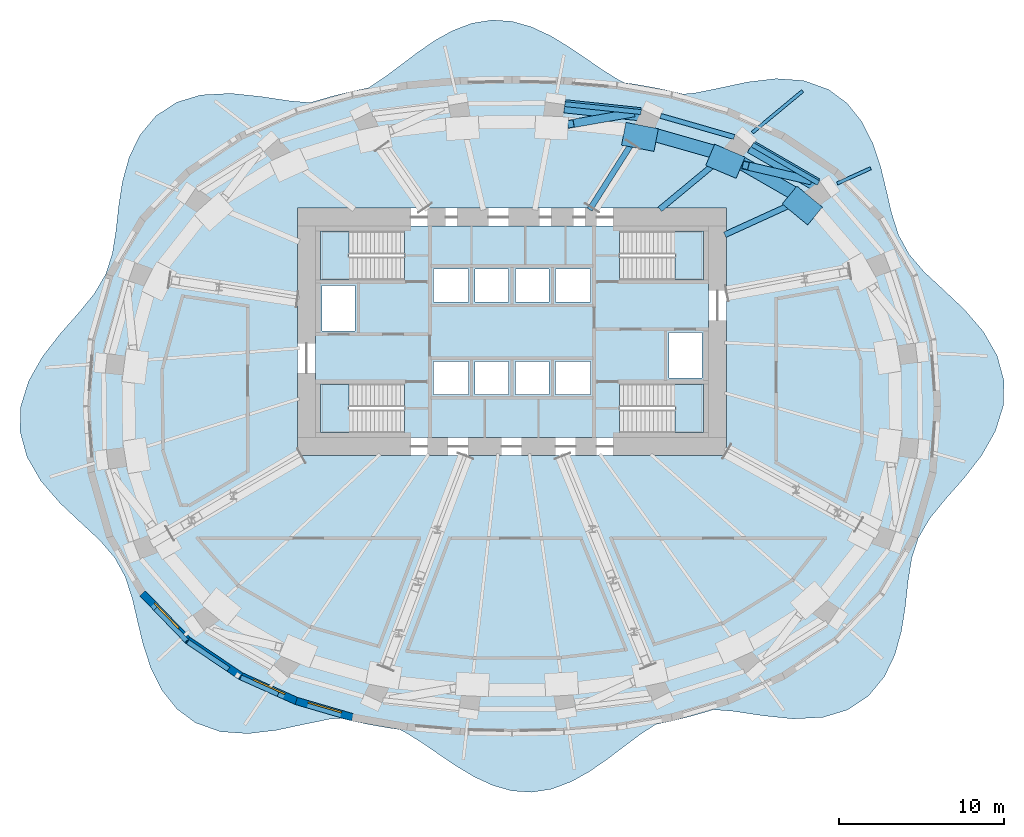
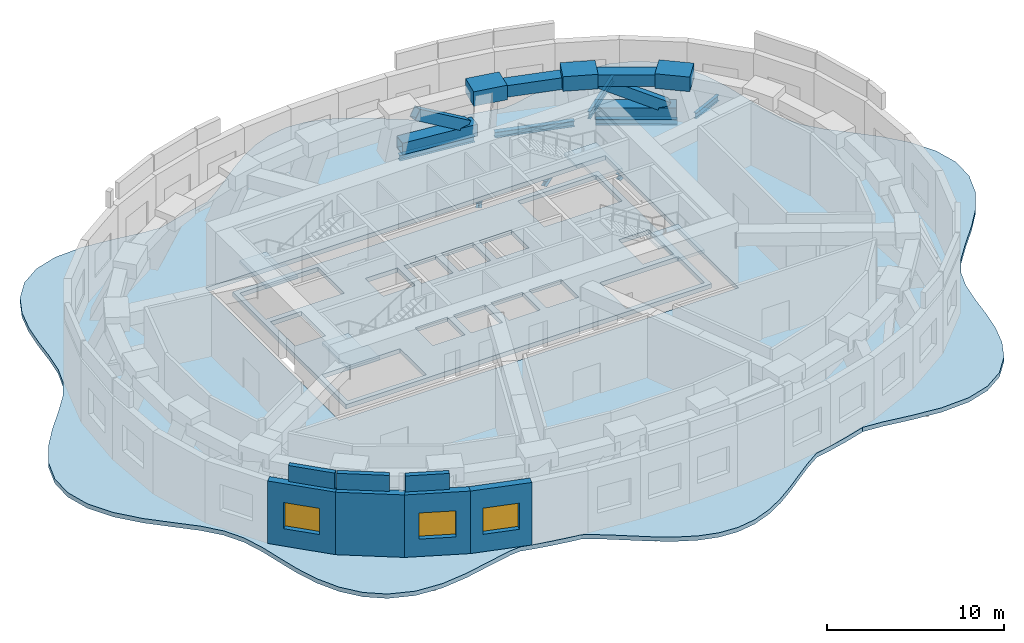
# One storey, part 5 of 11: 11 beams, 7 walls, 6 members, 6 slabs, 3 windows, 3 openings, 4 elements without a shape of their own.
"""IFC4 building model written with IfcOpenShell, lengths in metres."""

from ifc_helpers import new_model, si_unit, direction, frame, frame_2d, origin, origin_2d, place, context, subcontext, project, spatial, polyline, rectangle, hollow_rectangle, i_section, outline, extrude, material, layer, layer_set, material_profile, profile_set, type_object, element, fill, aggregate, save


model = new_model("IFC4")

# Units and contexts
model_context = context("Model", 3, precision=1e-05, world=origin(), true_north=direction((0.0, 1.0)))
body_context = subcontext(model_context, "Body", "Model", "MODEL_VIEW")
ifc_project = project(units=[si_unit("LENGTHUNIT", "METRE"), si_unit("AREAUNIT", "SQUARE_METRE"), si_unit("VOLUMEUNIT", "CUBIC_METRE"), si_unit("PLANEANGLEUNIT", "RADIAN"), si_unit("MASSUNIT", "GRAM", prefix="KILO")], contexts=[model_context])

# Site, building, storey
site_placement = place(None, origin())
site = spatial("IfcSite", under=ifc_project, at=site_placement, CompositionType="ELEMENT")
building_placement = place(site_placement, origin())
building = spatial("IfcBuilding", under=site, at=building_placement, Name="Rubra Terraces Tower", CompositionType="ELEMENT")
storey_placement = place(building_placement, frame((0.0, 0.0, 121.199951171875)))
storey = spatial("IfcBuildingStorey", under=building, at=storey_placement, Name="L29", CompositionType="ELEMENT", Elevation=121.199951171875)

# Members
ifc_material_1 = material(Name="Steel Q355B", Category="steel")
ifc_material_profile_1 = material_profile(ifc_material_1, hollow_rectangle(XDim=0.800048828125, YDim=0.800048828125, WallThickness=0.0400390625, at=origin_2d()), Name="BOX 800x800x40")
ifc_profile_set_1 = profile_set([ifc_material_profile_1], Name="Steel Q355B")
member_type_1 = type_object("IfcMemberType", Name="BELT TRUSS BOTTOM CHORD R3 BOX 800x800x40", PredefinedType="CHORD", material=ifc_profile_set_1)
member_1_placement = place(storey_placement, frame((18.43896484375, 13.416015625, 0.400146484375), z_axis=(-0.865381424638, 0.501113749454, 0.0), x_axis=(-0.501113749454, -0.865381424638, 0.0)))
element("IfcMember", 1, at=member_1_placement, inside=storey, type_object=member_type_1, Name="BELT TRUSS CHORD R3", PredefinedType="CHORD", context=body_context, shape_type="SweptSolid", body=[
    extrude(hollow_rectangle(XDim=0.800048828125, YDim=0.800048828125, WallThickness=0.0400390625, at=origin_2d()), origin(), (0.0, 0.0, 1.0), 4.595703125),
])
member_2_placement = place(storey_placement, frame((7.76611328125, 17.68310546875, 0.400146484375), z_axis=(-0.994567938176, 0.104089463213, 0.0), x_axis=(-0.104089463213, -0.994567938176, 0.0)))
element("IfcMember", 2, at=member_2_placement, inside=storey, type_object=member_type_1, Name="BELT TRUSS CHORD R3", PredefinedType="CHORD", context=body_context, shape_type="SweptSolid", body=[
    extrude(hollow_rectangle(XDim=0.800048828125, YDim=0.800048828125, WallThickness=0.0400390625, at=origin_2d()), origin(), (0.0, 0.0, 1.0), 4.611328125),
])
ifc_material_profile_2 = material_profile(ifc_material_1, hollow_rectangle(XDim=0.5, YDim=0.699951171875, WallThickness=0.030029296875, at=origin_2d()), Name="BOX 700x500x30")
ifc_profile_set_2 = profile_set([ifc_material_profile_2], Name="Steel Q355B")
member_type_2 = type_object("IfcMemberType", Name="BELT TRUSS DIAGONAL R3 BOX 700x500x30", PredefinedType="BRACE", material=ifc_profile_set_2)
member_3_placement = place(storey_placement, frame((17.9619140625, 13.69189453125, 0.699951171875), z_axis=(-0.825105455447, 0.192084127168, 0.531323513014), x_axis=(-0.2267364904, -0.973956140656, 0.0)))
element("IfcMember", 3, at=member_3_placement, inside=storey, type_object=member_type_2, Name="BELT TRUSS DIAGONAL R3", PredefinedType="BRACE", context=body_context, shape_type="SweptSolid", body=[
    extrude(hollow_rectangle(XDim=0.5, YDim=0.699951171875, WallThickness=0.030029296875, at=origin_2d()), origin(), (0.0, 0.0, 1.0), 4.618896484375),
])
member_4_placement = place(storey_placement, frame((7.215087890625, 17.740966796875, 0.699951171875), z_axis=(-0.822153757418, -0.144911993214, 0.550512228189), x_axis=(0.173583240462, -0.984819200986, 0.0)))
element("IfcMember", 4, at=member_4_placement, inside=storey, type_object=member_type_2, Name="BELT TRUSS DIAGONAL R3", PredefinedType="BRACE", context=body_context, shape_type="SweptSolid", body=[
    extrude(hollow_rectangle(XDim=0.5, YDim=0.699951171875, WallThickness=0.030029296875, at=origin_2d()), origin(), (0.0, 0.0, 1.0), 4.457763671875),
])
ifc_material_profile_3 = material_profile(ifc_material_1, hollow_rectangle(XDim=0.800048828125, YDim=0.800048828125, WallThickness=0.0400390625, at=origin_2d()), Name="BOX 800x800x40")
ifc_profile_set_3 = profile_set([ifc_material_profile_3], Name="Steel Q355B")
member_type_3 = type_object("IfcMemberType", Name="BELT TRUSS TOP CHORD R3 BOX 800x800x40", PredefinedType="CHORD", material=ifc_profile_set_3)
member_5_placement = place(storey_placement, frame((17.4150390625, 12.697021484375, 3.4541015625), z_axis=(-0.866373509188, 0.49939657846, 0.0), x_axis=(-0.49939657846, -0.866373509188, 0.0)))
element("IfcMember", 5, at=member_5_placement, inside=storey, type_object=member_type_3, Name="BELT TRUSS CHORD R3", PredefinedType="CHORD", context=body_context, shape_type="SweptSolid", body=[
    extrude(hollow_rectangle(XDim=0.800048828125, YDim=0.800048828125, WallThickness=0.0400390625, at=origin_2d()), origin(), (0.0, 0.0, 1.0), 4.281005859375),
])
member_6_placement = place(storey_placement, frame((12.60888671875, 15.300048828125, 3.4541015625), z_axis=(-0.961620534716, 0.274382847885, 0.0), x_axis=(-0.274382847885, -0.961620534716, 0.0)))
element("IfcMember", 6, at=member_6_placement, inside=storey, type_object=member_type_3, Name="BELT TRUSS CHORD R3", PredefinedType="CHORD", context=body_context, shape_type="SweptSolid", body=[
    extrude(hollow_rectangle(XDim=0.800048828125, YDim=0.800048828125, WallThickness=0.0400390625, at=origin_2d()), origin(), (0.0, 0.0, 1.0), 4.28955078125),
])

# Beams
ifc_material_profile_4 = material_profile(ifc_material_1, i_section(OverallWidth=0.199951171875, OverallDepth=0.39990234375, WebThickness=0.008056640625, FlangeThickness=0.012939453125, at=origin_2d()), Name="HN 400x200x8x13")
ifc_profile_set_4 = profile_set([ifc_material_profile_4], Name="Steel Q355B")
beam_type_1 = type_object("IfcBeamType", Name="CANTILEVER BEAM HN 400x200x8x13", PredefinedType="BEAM", material=ifc_profile_set_4)
beam_1_placement = place(storey_placement, frame((19.697998046875, 13.485107421875, -0.5), z_axis=(0.909796599885, 0.415054390216, 0.0), x_axis=(-0.415054390216, 0.909796599885, 0.0)))
element("IfcBeam", 7, at=beam_1_placement, inside=storey, type_object=beam_type_1, Name="beam-L29-cant-03", PredefinedType="BEAM", context=body_context, shape_type="SweptSolid", body=[
    extrude(i_section(OverallWidth=0.199951171875, OverallDepth=0.39990234375, WebThickness=0.008056640625, FlangeThickness=0.012939453125, at=origin_2d()), origin(), (0.0, 0.0, 1.0), 2.2333984375),
])
ifc_material_profile_5 = material_profile(ifc_material_1, i_section(OverallWidth=0.198974609375, OverallDepth=0.49609375, WebThickness=0.009033203125, FlangeThickness=0.013916015625, at=origin_2d()), Name="HN 496x199x9x14")
ifc_profile_set_5 = profile_set([ifc_material_profile_5], Name="Steel Q355B")
beam_type_2 = type_object("IfcBeamType", Name="CANTILEVER BEAM HN 496x199x9x14", PredefinedType="BEAM", material=ifc_profile_set_5)
beam_2_placement = place(storey_placement, frame((14.56201171875, 16.56689453125, -0.5478515625), z_axis=(0.769981645212, 0.638066035796, 0.0), x_axis=(-0.638066035796, 0.769981645212, 0.0)))
element("IfcBeam", 8, at=beam_2_placement, inside=storey, type_object=beam_type_2, Name="beam-L29-cant-04", PredefinedType="BEAM", context=body_context, shape_type="SweptSolid", body=[
    extrude(i_section(OverallWidth=0.198974609375, OverallDepth=0.49609375, WebThickness=0.009033203125, FlangeThickness=0.013916015625, at=origin_2d()), origin(), (0.0, 0.0, 1.0), 3.949462890625),
])
ifc_material_profile_6 = material_profile(ifc_material_1, i_section(OverallWidth=0.35009765625, OverallDepth=0.35009765625, WebThickness=0.011962890625, FlangeThickness=0.01904296875, at=origin_2d()), Name="HW 350x350x12x19")
ifc_profile_set_6 = profile_set([ifc_material_profile_6], Name="Steel Q355B")
beam_type_3 = type_object("IfcBeamType", Name="FLOOR BEAM HW 350x350x12x19", PredefinedType="BEAM", material=ifc_profile_set_6)
beam_3_placement = place(storey_placement, frame((18.486083984375, 12.93310546875, -0.474853515625), z_axis=(-0.909749612827, -0.415157370116, 0.0), x_axis=(0.415157370116, -0.909749612827, 0.0)))
element("IfcBeam", 9, at=beam_3_placement, inside=storey, type_object=beam_type_3, Name="beam-L29-floor-03", PredefinedType="BEAM", context=body_context, shape_type="SweptSolid", body=[
    extrude(i_section(OverallWidth=0.35009765625, OverallDepth=0.35009765625, WebThickness=0.011962890625, FlangeThickness=0.01904296875, at=origin_2d()), origin(), (0.0, 0.0, 1.0), 6.14990234375),
])
beam_4_placement = place(storey_placement, frame((13.52197265625, 15.705078125, -0.474853515625), z_axis=(-0.769987448283, -0.638059032917, 0.0), x_axis=(0.638059032917, -0.769987448283, 0.0)))
element("IfcBeam", 10, at=beam_4_placement, inside=storey, type_object=beam_type_3, Name="beam-L29-floor-04", PredefinedType="BEAM", context=body_context, shape_type="SweptSolid", body=[
    extrude(i_section(OverallWidth=0.35009765625, OverallDepth=0.35009765625, WebThickness=0.011962890625, FlangeThickness=0.01904296875, at=origin_2d()), origin(), (0.0, 0.0, 1.0), 5.92724609375),
])
beam_5_placement = place(storey_placement, frame((8.075927734375, 17.205078125, -0.474853515625), z_axis=(-0.536468405163, -0.843920405169, 0.0), x_axis=(0.843920405169, -0.536468405163, 0.0)))
element("IfcBeam", 11, at=beam_5_placement, inside=storey, type_object=beam_type_3, Name="beam-L29-floor-05", PredefinedType="BEAM", context=body_context, shape_type="SweptSolid", body=[
    extrude(i_section(OverallWidth=0.35009765625, OverallDepth=0.35009765625, WebThickness=0.011962890625, FlangeThickness=0.01904296875, at=origin_2d()), origin(), (0.0, 0.0, 1.0), 6.28759765625),
])
ifc_material_profile_7 = material_profile(ifc_material_1, i_section(OverallWidth=0.300048828125, OverallDepth=0.389892578125, WebThickness=0.010009765625, FlangeThickness=0.01611328125, at=origin_2d()), Name="HM 390x300x10x16")
ifc_profile_set_7 = profile_set([ifc_material_profile_7], Name="Steel Q355B")
beam_type_4 = type_object("IfcBeamType", Name="SPANDREL BEAM HM 390x300x10x16", PredefinedType="SPANDREL", material=ifc_profile_set_7)
beam_6_placement = place(storey_placement, frame((18.56494140625, 13.513916015625, -0.494873046875), z_axis=(-0.865116425734, 0.501571101565, 0.0), x_axis=(-0.501571101565, -0.865116425734, 0.0)))
element("IfcBeam", 12, at=beam_6_placement, inside=storey, type_object=beam_type_4, Name="beam-L29-spandrel-03", PredefinedType="SPANDREL", context=body_context, shape_type="SweptSolid", body=[
    extrude(i_section(OverallWidth=0.300048828125, OverallDepth=0.389892578125, WebThickness=0.010009765625, FlangeThickness=0.01611328125, at=origin_2d()), origin(), (0.0, 0.0, 1.0), 4.62353515625),
])
beam_7_placement = place(storey_placement, frame((13.4609375, 16.302978515625, -0.494873046875), z_axis=(-0.961195652649, 0.275867572085, 0.0), x_axis=(-0.275867572085, -0.961195652649, 0.0)))
element("IfcBeam", 13, at=beam_7_placement, inside=storey, type_object=beam_type_4, Name="beam-L29-spandrel-04", PredefinedType="SPANDREL", context=body_context, shape_type="SweptSolid", body=[
    extrude(i_section(OverallWidth=0.300048828125, OverallDepth=0.389892578125, WebThickness=0.010009765625, FlangeThickness=0.01611328125, at=origin_2d()), origin(), (0.0, 0.0, 1.0), 4.639892578125),
])
beam_8_placement = place(storey_placement, frame((7.822998046875, 17.81201171875, -0.494873046875), z_axis=(-0.994588599148, 0.103891859374, 0.0), x_axis=(-0.103891859374, -0.994588599148, 0.0)))
element("IfcBeam", 14, at=beam_8_placement, inside=storey, type_object=beam_type_4, Name="beam-L29-spandrel-05", PredefinedType="SPANDREL", context=body_context, shape_type="SweptSolid", body=[
    extrude(i_section(OverallWidth=0.300048828125, OverallDepth=0.389892578125, WebThickness=0.010009765625, FlangeThickness=0.01611328125, at=origin_2d()), origin(), (0.0, 0.0, 1.0), 4.648193359375),
])
ifc_material_2 = material(Name="Concrete C60", Category="concrete")
ifc_material_profile_8 = material_profile(ifc_material_2, rectangle(XDim=1.39990234375, YDim=1.0, at=origin_2d()), Name="RC 1400x1000")
ifc_profile_set_8 = profile_set([ifc_material_profile_8], Name="Concrete C60")
beam_type_5 = type_object("IfcBeamType", Name="TRANSFER NODE RC 1400x1000 C60", PredefinedType="BEAM", material=ifc_profile_set_8)
beam_9_placement = place(storey_placement, frame((18.35498046875, 11.513916015625, 3.800048828125), z_axis=(-0.770875760174, 0.636985527604, 0.0), x_axis=(-0.636985527604, -0.770875760174, 0.0)))
element("IfcBeam", 15, at=beam_9_placement, inside=storey, type_object=beam_type_5, Name="node-L29-hi-03", PredefinedType="BEAM", context=body_context, shape_type="SweptSolid", body=[
    extrude(rectangle(XDim=1.39990234375, YDim=1.0, at=origin_2d()), origin(), (0.0, 0.0, 1.0), 2.000244140625),
])
beam_10_placement = place(storey_placement, frame((13.847900390625, 14.443115234375, 3.800048828125), z_axis=(-0.921216496618, 0.389050339107, 0.0), x_axis=(-0.389050339107, -0.921216496618, 0.0)))
element("IfcBeam", 16, at=beam_10_placement, inside=storey, type_object=beam_type_5, Name="node-L29-hi-04", PredefinedType="BEAM", context=body_context, shape_type="SweptSolid", body=[
    extrude(rectangle(XDim=1.39990234375, YDim=1.0, at=origin_2d()), origin(), (0.0, 0.0, 1.0), 1.999267578125),
])
beam_11_placement = place(storey_placement, frame((8.73291015625, 16.117919921875, 3.800048828125), z_axis=(-0.981959398212, 0.189091883122, 0.0), x_axis=(-0.189091883122, -0.981959398212, 0.0)))
element("IfcBeam", 17, at=beam_11_placement, inside=storey, type_object=beam_type_5, Name="node-L29-hi-05", PredefinedType="BEAM", context=body_context, shape_type="SweptSolid", body=[
    extrude(rectangle(XDim=1.39990234375, YDim=1.0, at=origin_2d()), origin(), (0.0, 0.0, 1.0), 2.0),
])

# Slab
ifc_material_3 = material(Name="Concrete C40", Category="concrete")
ifc_layer_1 = layer(ifc_material_3, 0.300048828125)
ifc_layer_set_1 = layer_set([ifc_layer_1], Name="Concrete C40")
slab_type_1 = type_object("IfcSlabType", Name="Core floor slab 300 concrete", PredefinedType="FLOOR", material=ifc_layer_set_1)
slab_1_placement = place(storey_placement, frame((0.0, 0.0, -0.300048828125)))
element("IfcSlab", 18, at=slab_1_placement, inside=storey, type_object=slab_type_1, Name="CORE FLOOR SLAB L29", PredefinedType="FLOOR", context=body_context, shape_type="SweptSolid", body=[
    extrude(outline(polyline([(-11.89990234375, -1.89990234375), (-11.89990234375, 10.89990234375), (11.89990234375, 10.89990234375), (11.89990234375, -1.89990234375), (-11.89990234375, -1.89990234375)]), holes=[polyline([(11.597900390625, 1.347900390625), (6.501953125, 1.347900390625), (6.501953125, -1.597900390625), (11.597900390625, -1.597900390625), (11.597900390625, 1.347900390625)]), polyline([(11.597900390625, 7.652099609375), (11.597900390625, 10.597900390625), (6.501953125, 10.597900390625), (6.501953125, 7.652099609375), (11.597900390625, 7.652099609375)]), polyline([(9.5, 1.699951171875), (11.5, 1.699951171875), (11.5, 4.449951171875), (9.5, 4.449951171875), (9.5, 1.699951171875)]), polyline([(4.75, 0.699951171875), (4.75, 2.699951171875), (2.64990234375, 2.699951171875), (2.64990234375, 0.699951171875), (4.75, 0.699951171875)]), polyline([(4.75, 6.300048828125), (4.75, 8.300048828125), (2.64990234375, 8.300048828125), (2.64990234375, 6.300048828125), (4.75, 6.300048828125)]), polyline([(2.25, 0.699951171875), (2.25, 2.699951171875), (0.199951171875, 2.699951171875), (0.199951171875, 0.699951171875), (2.25, 0.699951171875)]), polyline([(2.25, 6.300048828125), (2.25, 8.300048828125), (0.199951171875, 8.300048828125), (0.199951171875, 6.300048828125), (2.25, 6.300048828125)]), polyline([(-0.199951171875, 0.699951171875), (-0.199951171875, 2.699951171875), (-2.25, 2.699951171875), (-2.25, 0.699951171875), (-0.199951171875, 0.699951171875)]), polyline([(-0.199951171875, 6.300048828125), (-0.199951171875, 8.300048828125), (-2.25, 8.300048828125), (-2.25, 6.300048828125), (-0.199951171875, 6.300048828125)]), polyline([(-2.64990234375, 0.699951171875), (-2.64990234375, 2.699951171875), (-4.75, 2.699951171875), (-4.75, 0.699951171875), (-2.64990234375, 0.699951171875)]), polyline([(-2.64990234375, 8.300048828125), (-4.75, 8.300048828125), (-4.75, 6.300048828125), (-2.64990234375, 6.300048828125), (-2.64990234375, 8.300048828125)]), polyline([(-11.597900390625, -1.597900390625), (-6.501953125, -1.597900390625), (-6.501953125, 1.347900390625), (-11.597900390625, 1.347900390625), (-11.597900390625, -1.597900390625)]), polyline([(-11.597900390625, 10.597900390625), (-11.597900390625, 7.652099609375), (-6.501953125, 7.652099609375), (-6.501953125, 10.597900390625), (-11.597900390625, 10.597900390625)]), polyline([(-9.5, 4.550048828125), (-9.5, 7.300048828125), (-11.5, 7.300048828125), (-11.5, 4.550048828125), (-9.5, 4.550048828125)])]), origin(), (0.0, 0.0, 1.0), 0.300048828125),
])

# Stair, slab
stair_type = type_object("IfcStairType", Name="Core stair 1400", PredefinedType="HALF_TURN_STAIR", material=ifc_material_3)
stair_1_placement = place(storey_placement, origin())
stair_1 = element("IfcStair", 19, at=stair_1_placement, inside=storey, type_object=stair_type, Name="L29 Exit stair S1", PredefinedType="HALF_TURN_STAIR")
ifc_layer_2 = layer(ifc_material_3, 0.199951171875)
ifc_layer_set_2 = layer_set([ifc_layer_2], Name="Concrete C40")
slab_type_2 = type_object("IfcSlabType", Name="Core stair landing 200", PredefinedType="LANDING", material=ifc_layer_set_2)
slab_2_placement = place(storey_placement, frame((0.0, 0.0, 2.050048828125)))
slab_2 = element("IfcSlab", 20, at=slab_2_placement, type_object=slab_type_2, Name="S1 landing 1", PredefinedType="LANDING", context=body_context, shape_type="SweptSolid", body=[
    extrude(outline(polyline([(-9.5, -0.199951171875), (-9.5, -1.60009765625), (-9.8798828125, -1.60009765625), (-9.89990234375, -1.60009765625), (-11.60009765625, -1.60009765625), (-11.60009765625, 1.35009765625), (-9.89990234375, 1.35009765625), (-9.8779296875, 1.35009765625), (-9.8779296875, -0.050048828125), (-9.8798828125, -0.050048828125), (-9.8798828125, -0.199951171875), (-9.5, -0.199951171875)])), origin(), (0.0, 0.0, 1.0), 0.199951171875),
])
aggregate(stair_1, [slab_2])

stair_2_placement = place(storey_placement, origin())
stair_2 = element("IfcStair", 21, at=stair_2_placement, inside=storey, type_object=stair_type, Name="L29 Exit stair S2", PredefinedType="HALF_TURN_STAIR")
slab_3_placement = place(storey_placement, frame((0.0, 0.0, 2.050048828125)))
slab_3 = element("IfcSlab", 22, at=slab_3_placement, type_object=slab_type_2, Name="S2 landing 1", PredefinedType="LANDING", context=body_context, shape_type="SweptSolid", body=[
    extrude(outline(polyline([(-9.5, 9.050048828125), (-9.5, 7.64990234375), (-9.89990234375, 7.64990234375), (-11.60009765625, 7.64990234375), (-11.60009765625, 10.60009765625), (-9.89990234375, 10.60009765625), (-9.8798828125, 10.60009765625), (-9.8779296875, 10.60009765625), (-9.8779296875, 9.199951171875), (-9.8798828125, 9.199951171875), (-9.8798828125, 9.050048828125), (-9.5, 9.050048828125)])), origin(), (0.0, 0.0, 1.0), 0.199951171875),
])
aggregate(stair_2, [slab_3])

stair_3_placement = place(storey_placement, origin())
stair_3 = element("IfcStair", 23, at=stair_3_placement, inside=storey, type_object=stair_type, Name="L29 Exit stair S3", PredefinedType="HALF_TURN_STAIR")
slab_4_placement = place(storey_placement, frame((0.0, 0.0, 2.050048828125)))
slab_4 = element("IfcSlab", 24, at=slab_4_placement, type_object=slab_type_2, Name="S3 landing 1", PredefinedType="LANDING", context=body_context, shape_type="SweptSolid", body=[
    extrude(outline(polyline([(9.8798828125, 9.050048828125), (9.8798828125, 9.199951171875), (9.5, 9.199951171875), (9.5, 10.60009765625), (9.8798828125, 10.60009765625), (9.89990234375, 10.60009765625), (11.60009765625, 10.60009765625), (11.60009765625, 7.64990234375), (9.89990234375, 7.64990234375), (9.8779296875, 7.64990234375), (9.8779296875, 9.050048828125), (9.8798828125, 9.050048828125)])), origin(), (0.0, 0.0, 1.0), 0.199951171875),
])
aggregate(stair_3, [slab_4])

stair_4_placement = place(storey_placement, origin())
stair_4 = element("IfcStair", 25, at=stair_4_placement, inside=storey, type_object=stair_type, Name="L29 Exit stair S4", PredefinedType="HALF_TURN_STAIR")
slab_5_placement = place(storey_placement, frame((0.0, 0.0, 2.050048828125)))
slab_5 = element("IfcSlab", 26, at=slab_5_placement, type_object=slab_type_2, Name="S4 landing 1", PredefinedType="LANDING", context=body_context, shape_type="SweptSolid", body=[
    extrude(outline(polyline([(9.8798828125, -0.199951171875), (9.8798828125, -0.050048828125), (9.5, -0.050048828125), (9.5, 1.35009765625), (9.8798828125, 1.35009765625), (9.89990234375, 1.35009765625), (11.60009765625, 1.35009765625), (11.60009765625, -1.60009765625), (9.89990234375, -1.60009765625), (9.8798828125, -1.60009765625), (9.8779296875, -1.60009765625), (9.8779296875, -0.199951171875), (9.8798828125, -0.199951171875)])), origin(), (0.0, 0.0, 1.0), 0.199951171875),
])
aggregate(stair_4, [slab_5])

# Slab
ifc_layer_3 = layer(ifc_material_3, 0.300048828125)
ifc_layer_set_3 = layer_set([ifc_layer_3], Name="Concrete C40")
slab_type_3 = type_object("IfcSlabType", Name="FLOOR SLAB 300 COMPOSITE", PredefinedType="FLOOR", material=ifc_layer_set_3)
slab_6_placement = place(storey_placement, frame((0.0, 0.0, -0.300048828125)))
element("IfcSlab", 27, at=slab_6_placement, inside=storey, type_object=slab_type_3, Name="FLOOR SLAB L29", PredefinedType="FLOOR", context=body_context, shape_type="SweptSolid", body=[
    extrude(outline(polyline([(12.007080078125, -18.451904296875), (12.202880859375, -18.385986328125), (13.431884765625, -18.487060546875), (15.18798828125, -18.7509765625), (17.028076171875, -18.945068359375), (18.85009765625, -18.85009765625), (20.320068359375, -18.403076171875), (21.5791015625, -17.572998046875), (22.55908203125, -16.389892578125), (23.196044921875, -15.06103515625), (23.595947265625, -13.60791015625), (23.824951171875, -12.139892578125), (23.992919921875, -10.60107421875), (24.212890625, -9.218994140625), (24.610107421875, -7.99609375), (25.31103515625, -6.798095703125), (26.281982421875, -5.613037109375), (27.404052734375, -4.340087890625), (28.449951171875, -2.988037109375), (29.281982421875, -1.51904296875), (29.757080078125, 0.0), (29.802978515625, 1.535888671875), (29.383056640625, 3.072021484375), (28.547119140625, 4.52099609375), (27.39111328125, 5.866943359375), (26.136962890625, 7.0458984375), (24.98291015625, 8.116943359375), (24.070068359375, 9.177001953125), (23.424072265625, 10.35009765625), (22.988037109375, 11.712890625), (22.68408203125, 13.0390625), (22.342041015625, 14.4599609375), (21.8701171875, 15.889892578125), (21.199951171875, 17.222900390625), (20.301025390625, 18.346923828125), (19.179931640625, 19.179931640625), (17.657958984375, 19.72412109375), (15.985107421875, 19.839111328125), (14.263916015625, 19.633056640625), (12.615966796875, 19.281005859375), (11.056884765625, 18.9619140625), (10.375, 18.905029296875), (9.716064453125, 19.068115234375), (8.612060546875, 19.299072265625), (7.501953125, 19.492919921875), (6.820068359375, 19.590087890625), (6.427978515625, 19.782958984375), (5.45703125, 20.389892578125), (4.465087890625, 21.071044921875), (3.447021484375, 21.762939453125), (2.31591796875, 22.444091796875), (1.162109375, 22.97900390625), (0.0, 23.306884765625), (-1.201904296875, 23.389892578125), (-2.408935546875, 23.197998046875), (-3.60302734375, 22.7470703125), (-4.675048828125, 22.14794921875), (-5.714111328125, 21.43408203125), (-6.718017578125, 20.675048828125), (-7.68701171875, 19.948974609375), (-8.639892578125, 19.31689453125), (-8.718994140625, 19.277099609375), (-8.612060546875, 19.299072265625), (-9.716064453125, 19.068115234375), (-10.866943359375, 18.782958984375), (-12.007080078125, 18.451904296875), (-12.202880859375, 18.385986328125), (-13.431884765625, 18.487060546875), (-15.18798828125, 18.7509765625), (-17.028076171875, 18.945068359375), (-18.85009765625, 18.85009765625), (-20.320068359375, 18.403076171875), (-21.5791015625, 17.572998046875), (-22.55908203125, 16.389892578125), (-23.196044921875, 15.06103515625), (-23.595947265625, 13.60791015625), (-23.824951171875, 12.139892578125), (-23.992919921875, 10.60107421875), (-24.212890625, 9.218994140625), (-24.610107421875, 7.99609375), (-25.31103515625, 6.798095703125), (-26.281982421875, 5.613037109375), (-27.404052734375, 4.340087890625), (-28.449951171875, 2.988037109375), (-29.281982421875, 1.51904296875), (-29.757080078125, 0.0), (-29.802978515625, -1.535888671875), (-29.383056640625, -3.072021484375), (-28.547119140625, -4.52099609375), (-27.39111328125, -5.866943359375), (-26.136962890625, -7.0458984375), (-24.98291015625, -8.116943359375), (-24.070068359375, -9.177001953125), (-23.424072265625, -10.35009765625), (-22.988037109375, -11.712890625), (-22.68408203125, -13.0390625), (-22.342041015625, -14.4599609375), (-21.8701171875, -15.889892578125), (-21.199951171875, -17.222900390625), (-20.301025390625, -18.346923828125), (-19.179931640625, -19.179931640625), (-17.657958984375, -19.72412109375), (-15.985107421875, -19.839111328125), (-14.263916015625, -19.633056640625), (-12.615966796875, -19.281005859375), (-11.056884765625, -18.9619140625), (-10.375, -18.905029296875), (-9.716064453125, -19.068115234375), (-8.612060546875, -19.299072265625), (-7.501953125, -19.492919921875), (-6.820068359375, -19.590087890625), (-6.427978515625, -19.782958984375), (-5.45703125, -20.389892578125), (-4.465087890625, -21.071044921875), (-3.447021484375, -21.762939453125), (-2.31591796875, -22.444091796875), (-1.162109375, -22.97900390625), (0.0, -23.306884765625), (1.201904296875, -23.389892578125), (2.408935546875, -23.197998046875), (3.60302734375, -22.7470703125), (4.675048828125, -22.14794921875), (5.714111328125, -21.43408203125), (6.718017578125, -20.675048828125), (7.68701171875, -19.948974609375), (8.639892578125, -19.31689453125), (8.718994140625, -19.277099609375), (8.612060546875, -19.299072265625), (9.716064453125, -19.068115234375), (10.866943359375, -18.782958984375), (12.007080078125, -18.451904296875)]), holes=[polyline([(13.0, 12.0), (13.0, -3.0), (-13.0, -3.0), (-13.0, 12.0), (13.0, 12.0)])]), origin(), (0.0, 0.0, 1.0), 0.300048828125),
])

# Wall, opening, window
ifc_material_4 = material(Name="Brick masonry red-brown", Category="masonry")
ifc_layer_4 = layer(ifc_material_4, 0.449951171875)
ifc_layer_set_4 = layer_set([ifc_layer_4], Name="Brick masonry red-brown")
wall_type_1 = type_object("IfcWallType", Name="Brick facade wall 450", PredefinedType="SOLIDWALL", material=ifc_layer_set_4)
wall_1_placement = place(storey_placement, frame((-22.385986328125, -11.332763671875, 0.0), z_axis=(0.0, 0.0, 1.0), x_axis=(0.694225992979, -0.719757091436, 0.0)))
wall_1 = element("IfcWall", 28, at=wall_1_placement, inside=storey, type_object=wall_type_1, Name="Facade wall L29 bay 24", PredefinedType="SOLIDWALL", context=body_context, shape_type="SweptSolid", body=[
    extrude(rectangle(XDim=3.9970703125, YDim=0.449951171875, at=frame_2d((1.99853515625, 0.0))), origin(), (0.0, 0.0, 1.0), 4.300048828125),
])
opening_1_placement = place(wall_1_placement, frame((0.948486328125, 0.0, 1.199951171875)))
opening_1 = element("IfcOpeningElement", 29, at=opening_1_placement, cuts=wall_1, Name="Opening W4", PredefinedType="OPENING", context=body_context, shape_type="SweptSolid", body=[
    extrude(rectangle(XDim=2.10009765625, YDim=1.800048828125, at=frame_2d((1.050048828125, 0.89990234375))), frame((0.0, 0.23486328125, 0.0), z_axis=(0.0, -1.0, 0.0), x_axis=(1.0, 0.0, 0.0)), (0.0, 0.0, 1.0), 0.469970703125),
])
ifc_material_5 = material(Name="Clear glass in aluminium frame", Category="aluminium")
window_type = type_object("IfcWindowType", Name="Louvred plant window 2100 x 1800", PartitioningType="SINGLE_PANEL", PredefinedType="WINDOW", material=ifc_material_5)
window_1_placement = place(opening_1_placement, origin())
window_1 = element("IfcWindow", 30, at=window_1_placement, inside=storey, type_object=window_type, Name="Window L29 bay 24", OverallHeight=1.800048828125, OverallWidth=2.10009765625, PartitioningType="SINGLE_PANEL", PredefinedType="WINDOW", context=body_context, shape_type="SweptSolid", body=[
    extrude(rectangle(XDim=2.10009765625, YDim=1.800048828125, at=frame_2d((1.050048828125, 0.89990234375))), frame((0.0, 0.135009765625, 0.0), z_axis=(0.0, -1.0, 0.0), x_axis=(1.0, 0.0, 0.0)), (0.0, 0.0, 1.0), 0.06005859375),
])
fill(opening_1, window_1)

# Wall
wall_2_placement = place(storey_placement, frame((-19.647216796875, -14.179443359375, 0.0), z_axis=(0.0, 0.0, 1.0), x_axis=(0.829039015156, -0.559190764721, 0.0)))
element("IfcWall", 31, at=wall_2_placement, inside=storey, type_object=wall_type_1, Name="Facade wall L29 bay 25", PredefinedType="SOLIDWALL", context=body_context, shape_type="SweptSolid", body=[
    extrude(rectangle(XDim=3.894775390625, YDim=0.449951171875, at=frame_2d((1.947265625, 0.0))), origin(), (0.0, 0.0, 1.0), 4.300048828125),
])

# Wall, opening, window
wall_3_placement = place(storey_placement, frame((-16.451904296875, -16.338623046875, 0.0), z_axis=(0.0, 0.0, 1.0), x_axis=(0.912495881005, -0.409085892142, 0.0)))
wall_3 = element("IfcWall", 32, at=wall_3_placement, inside=storey, type_object=wall_type_1, Name="Facade wall L29 bay 26", PredefinedType="SOLIDWALL", context=body_context, shape_type="SweptSolid", body=[
    extrude(rectangle(XDim=3.740234375, YDim=0.449951171875, at=frame_2d((1.8701171875, 0.0))), origin(), (0.0, 0.0, 1.0), 4.300048828125),
])
opening_2_placement = place(wall_3_placement, frame((0.820068359375, 0.0, 1.199951171875)))
opening_2 = element("IfcOpeningElement", 33, at=opening_2_placement, cuts=wall_3, Name="Opening W4", PredefinedType="OPENING", context=body_context, shape_type="SweptSolid", body=[
    extrude(rectangle(XDim=2.10009765625, YDim=1.800048828125, at=frame_2d((1.050048828125, 0.89990234375))), frame((0.0, 0.23486328125, 0.0), z_axis=(0.0, -1.0, 0.0), x_axis=(1.0, 0.0, 0.0)), (0.0, 0.0, 1.0), 0.469970703125),
])
window_2_placement = place(opening_2_placement, origin())
window_2 = element("IfcWindow", 34, at=window_2_placement, inside=storey, type_object=window_type, Name="Window L29 bay 26", OverallHeight=1.800048828125, OverallWidth=2.10009765625, PartitioningType="SINGLE_PANEL", PredefinedType="WINDOW", context=body_context, shape_type="SweptSolid", body=[
    extrude(rectangle(XDim=2.10009765625, YDim=1.800048828125, at=frame_2d((1.050048828125, 0.89990234375))), frame((0.0, 0.135009765625, 0.0), z_axis=(0.0, -1.0, 0.0), x_axis=(1.0, 0.0, 0.0)), (0.0, 0.0, 1.0), 0.06005859375),
])
fill(opening_2, window_2)

wall_4_placement = place(storey_placement, frame((-13.068115234375, -17.85791015625, 0.0), z_axis=(0.0, 0.0, 1.0), x_axis=(0.96014440171, -0.27950443264, 0.0)))
wall_4 = element("IfcWall", 35, at=wall_4_placement, inside=storey, type_object=wall_type_1, Name="Facade wall L29 bay 27", PredefinedType="SOLIDWALL", context=body_context, shape_type="SweptSolid", body=[
    extrude(rectangle(XDim=3.556884765625, YDim=0.449951171875, at=frame_2d((1.7783203125, 0.0))), origin(), (0.0, 0.0, 1.0), 4.300048828125),
])
opening_3_placement = place(wall_4_placement, frame((0.728515625, 0.0, 1.199951171875)))
opening_3 = element("IfcOpeningElement", 36, at=opening_3_placement, cuts=wall_4, Name="Opening W4", PredefinedType="OPENING", context=body_context, shape_type="SweptSolid", body=[
    extrude(rectangle(XDim=2.10009765625, YDim=1.800048828125, at=frame_2d((1.050048828125, 0.89990234375))), frame((0.0, 0.23486328125, 0.0), z_axis=(0.0, -1.0, 0.0), x_axis=(1.0, 0.0, 0.0)), (0.0, 0.0, 1.0), 0.469970703125),
])
window_3_placement = place(opening_3_placement, origin())
window_3 = element("IfcWindow", 37, at=window_3_placement, inside=storey, type_object=window_type, Name="Window L29 bay 27", OverallHeight=1.800048828125, OverallWidth=2.10009765625, PartitioningType="SINGLE_PANEL", PredefinedType="WINDOW", context=body_context, shape_type="SweptSolid", body=[
    extrude(rectangle(XDim=2.10009765625, YDim=1.800048828125, at=frame_2d((1.050048828125, 0.89990234375))), frame((0.0, 0.135009765625, 0.0), z_axis=(0.0, -1.0, 0.0), x_axis=(1.0, 0.0, 0.0)), (0.0, 0.0, 1.0), 0.06005859375),
])
fill(opening_3, window_3)

# Walls
ifc_layer_5 = layer(ifc_material_4, 0.300048828125)
ifc_layer_set_5 = layer_set([ifc_layer_5], Name="Brick masonry red-brown")
wall_type_2 = type_object("IfcWallType", Name="Brick parapet 300", PredefinedType="PARAPET", material=ifc_layer_set_5)
wall_5_placement = place(storey_placement, frame((-21.590576171875, -12.265380859375, 4.5), z_axis=(0.0, 0.0, 1.0), x_axis=(0.694208865457, -0.719773611021, 0.0)))
element("IfcWall", 38, at=wall_5_placement, inside=storey, type_object=wall_type_2, Name="Parapet L29 bay 24", PredefinedType="PARAPET", context=body_context, shape_type="SweptSolid", body=[
    extrude(rectangle(XDim=2.712158203125, YDim=0.300048828125, at=frame_2d((1.35595703125, 0.0))), origin(), (0.0, 0.0, 1.0), 1.10009765625),
])
wall_6_placement = place(storey_placement, frame((-19.637939453125, -14.276123046875, 4.5), z_axis=(0.0, 0.0, 1.0), x_axis=(0.829040216943, -0.559188982984, 0.0)))
element("IfcWall", 39, at=wall_6_placement, inside=storey, type_object=wall_type_2, Name="Parapet L29 bay 25", PredefinedType="PARAPET", context=body_context, shape_type="SweptSolid", body=[
    extrude(rectangle(XDim=2.96923828125, YDim=0.300048828125, at=frame_2d((1.484619140625, 0.0))), origin(), (0.0, 0.0, 1.0), 1.10009765625),
])
wall_7_placement = place(storey_placement, frame((-16.431640625, -16.429931640625, 4.5), z_axis=(0.0, 0.0, 1.0), x_axis=(0.912480200784, -0.40912086622, 0.0)))
element("IfcWall", 40, at=wall_7_placement, inside=storey, type_object=wall_type_2, Name="Parapet L29 bay 26", PredefinedType="PARAPET", context=body_context, shape_type="SweptSolid", body=[
    extrude(rectangle(XDim=2.48193359375, YDim=0.300048828125, at=frame_2d((1.240966796875, 0.0))), origin(), (0.0, 0.0, 1.0), 1.10009765625),
])

save(model, "model.ifc")
